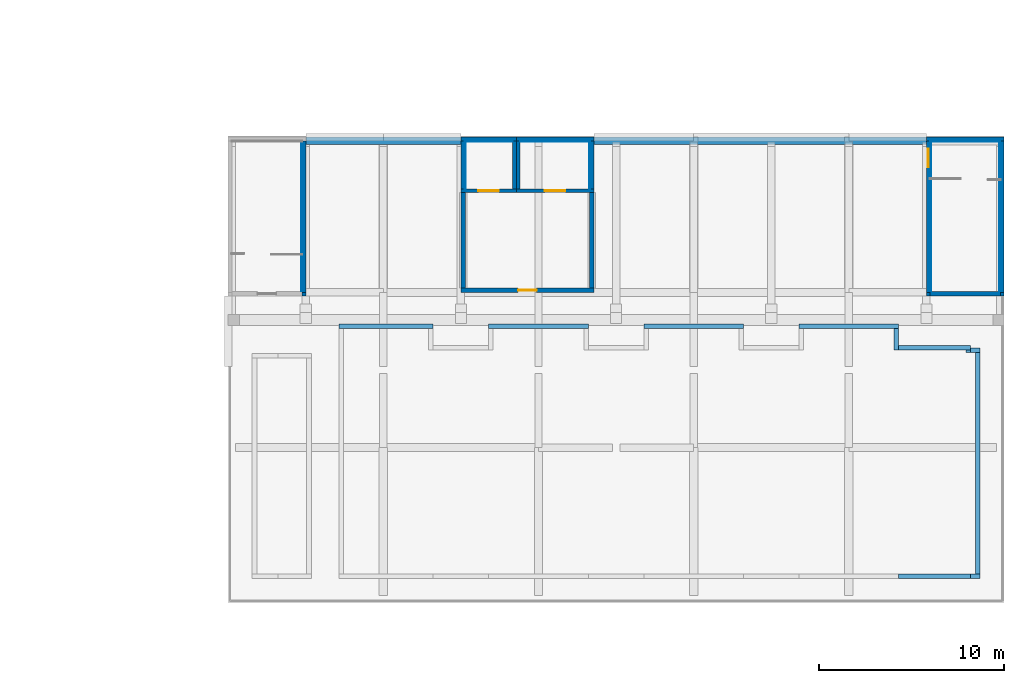
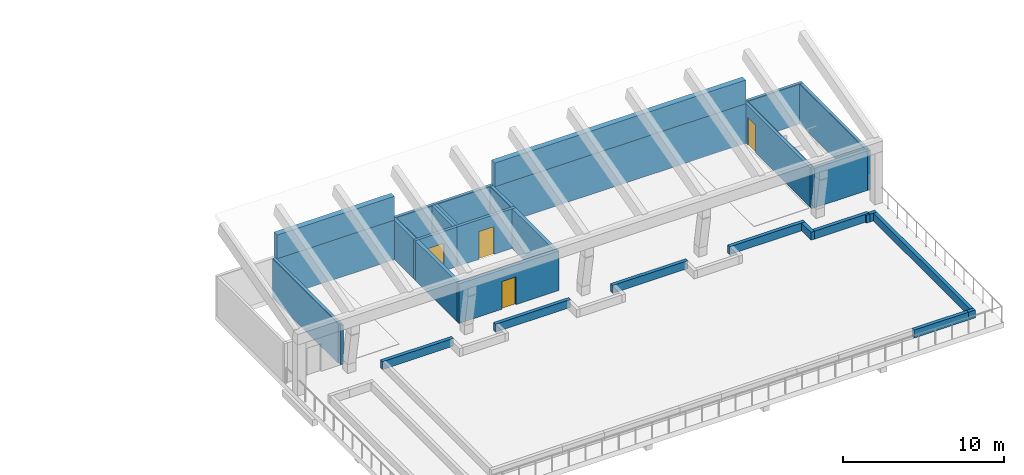
# One storey, part 50 of 67: 42 walls, 4 doors, 4 openings.
"""IFC4 building model written with IfcOpenShell, lengths in metres."""

from ifc_helpers import new_model, si_unit, direction, frame, frame_2d, origin, place, context, subcontext, project, spatial, rectangle, extrude, material, layer, layer_set, type_object, element, fill, save


model = new_model("IFC4")

# Units and contexts
model_context = context("Model", 3, precision=1e-05, world=origin(), true_north=direction((0.0, 1.0)))
body_context = subcontext(model_context, "Body", "Model", "MODEL_VIEW")
ifc_project = project(units=[si_unit("LENGTHUNIT", "METRE"), si_unit("AREAUNIT", "SQUARE_METRE"), si_unit("VOLUMEUNIT", "CUBIC_METRE"), si_unit("PLANEANGLEUNIT", "RADIAN"), si_unit("MASSUNIT", "GRAM", prefix="KILO")], contexts=[model_context])

# Site, building, storey
site_placement = place(None, origin())
site = spatial("IfcSite", under=ifc_project, at=site_placement, CompositionType="ELEMENT")
building_placement = place(site_placement, origin())
building = spatial("IfcBuilding", under=site, at=building_placement, Name="Kiln Court Media Centre", CompositionType="ELEMENT")
storey_placement = place(building_placement, frame((0.0, 0.0, 19.800048828125)))
storey = spatial("IfcBuildingStorey", under=building, at=storey_placement, Name="L04", CompositionType="ELEMENT", Elevation=19.800048828125)

# Walls
ifc_material_1 = material(Name="Concrete C30/37", Category="concrete")
ifc_layer_1 = layer(ifc_material_1, 0.25)
ifc_layer_set_1 = layer_set([ifc_layer_1], Name="Concrete C30/37 planter wall 250")
wall_type_1 = type_object("IfcWallType", Name="Concrete C30/37 planter wall 250", PredefinedType="PARAPET", material=ifc_layer_set_1)
wall_1_placement = place(storey_placement, frame((162.300048828125, 13.79833984375, 0.0), z_axis=(0.0, 0.0, 1.0), x_axis=(1.0, 0.0, 0.0)))
element("IfcWall", 1, at=wall_1_placement, inside=storey, type_object=wall_type_1, Name="Roof garden planter 2.1 north wall", PredefinedType="PARAPET", context=body_context, shape_type="SweptSolid", body=[
    extrude(rectangle(XDim=3.89990234375, YDim=0.25, at=frame_2d((1.949951171875, 0.0))), origin(), (0.0, 0.0, 1.0), 0.599853515625),
])
wall_2_placement = place(storey_placement, frame((156.89990234375, 14.97509765625, 0.0), z_axis=(0.0, 0.0, 1.0), x_axis=(1.0, 0.0, 0.0)))
element("IfcWall", 2, at=wall_2_placement, inside=storey, type_object=wall_type_1, Name="Roof garden planter 2.1 north wall", PredefinedType="PARAPET", context=body_context, shape_type="SweptSolid", body=[
    extrude(rectangle(XDim=5.400146484375, YDim=0.25, at=frame_2d((2.7001953125, 0.0))), origin(), (0.0, 0.0, 1.0), 0.599853515625),
])
for number, where, z_axis, x_axis, name in (
    (3, (148.5, 14.97509765625, 0.0), (0.0, 0.0, 1.0), (1.0, 0.0, 0.0), "Roof garden planter 2.1 north wall"),
    (4, (140.10009765625, 14.97509765625, 0.0), (0.0, 0.0, 1.0), (1.0, 0.0, 0.0), "Roof garden planter 2.1 north wall"),
):
    element("IfcWall", number, at=place(storey_placement, frame(where, z_axis=z_axis, x_axis=x_axis)), inside=storey, type_object=wall_type_1, Name=name, PredefinedType="PARAPET", context=body_context, shape_type="SweptSolid", body=[
        extrude(rectangle(XDim=5.39990234375, YDim=0.25, at=frame_2d((2.699951171875, 0.0))), origin(), (0.0, 0.0, 1.0), 0.599853515625),
    ])
wall_3_placement = place(storey_placement, frame((132.0, 14.97509765625, 0.0), z_axis=(0.0, 0.0, 1.0), x_axis=(1.0, 0.0, 0.0)))
element("IfcWall", 5, at=wall_3_placement, inside=storey, type_object=wall_type_1, Name="Roof garden planter 2.1 north wall", PredefinedType="PARAPET", context=body_context, shape_type="SweptSolid", body=[
    extrude(rectangle(XDim=5.10009765625, YDim=0.25, at=frame_2d((2.550048828125, 0.0))), origin(), (0.0, 0.0, 1.0), 0.599853515625),
])
wall_4_placement = place(storey_placement, frame((162.300048828125, 1.425048828125, 0.0), z_axis=(0.0, 0.0, 1.0), x_axis=(1.0, 0.0, 0.0)))
element("IfcWall", 6, at=wall_4_placement, inside=storey, type_object=wall_type_1, Name="Roof garden planter 2.1 south wall", PredefinedType="PARAPET", context=body_context, shape_type="SweptSolid", body=[
    extrude(rectangle(XDim=3.89990234375, YDim=0.25, at=frame_2d((1.949951171875, 0.0))), origin(), (0.0, 0.0, 1.0), 0.599853515625),
])
for number, where, z_axis, x_axis, name in (
    (7, (166.199951171875, 1.425048828125, 0.0), (0.0, 0.0, 1.0), (1.0, 0.0, 0.0), "Roof garden planter 2.1 south wall"),
    (8, (166.199951171875, 13.675048828125, 0.0), (0.0, 0.0, 1.0), (1.0, 0.0, 0.0), "Roof garden planter 2.1 north wall"),
):
    element("IfcWall", number, at=place(storey_placement, frame(where, z_axis=z_axis, x_axis=x_axis)), inside=storey, type_object=wall_type_1, Name=name, PredefinedType="PARAPET", context=body_context, shape_type="SweptSolid", body=[
        extrude(rectangle(XDim=0.5, YDim=0.25, at=frame_2d((0.25, 0.0))), origin(), (0.0, 0.0, 1.0), 0.599853515625),
    ])
wall_5_placement = place(storey_placement, frame((162.175048828125, 13.67333984375, 0.0), z_axis=(0.0, 0.0, 1.0), x_axis=(0.0, 1.0, 0.0)))
element("IfcWall", 9, at=wall_5_placement, inside=storey, type_object=wall_type_1, Name="Roof garden planter 2.1 east wall", PredefinedType="PARAPET", context=body_context, shape_type="SweptSolid", body=[
    extrude(rectangle(XDim=1.1767578125, YDim=0.25, at=frame_2d((0.58837890625, 0.0))), origin(), (0.0, 0.0, 1.0), 0.599853515625),
])
wall_6_placement = place(storey_placement, frame((166.574951171875, 1.550048828125, 0.0), z_axis=(0.0, 0.0, 1.0), x_axis=(0.0, 1.0, 0.0)))
element("IfcWall", 10, at=wall_6_placement, inside=storey, type_object=wall_type_1, Name="Roof garden planter 2.1 east wall", PredefinedType="PARAPET", context=body_context, shape_type="SweptSolid", body=[
    extrude(rectangle(XDim=12.0, YDim=0.25, at=frame_2d((6.0, 0.0))), origin(), (0.0, 0.0, 1.0), 0.599853515625),
])
wall_7_placement = place(storey_placement, frame((166.074951171875, 13.550048828125, 0.0), z_axis=(0.0, 0.0, 1.0), x_axis=(0.0, 1.0, 0.0)))
element("IfcWall", 11, at=wall_7_placement, inside=storey, type_object=wall_type_1, Name="Roof garden planter 2.1 west wall", PredefinedType="PARAPET", context=body_context, shape_type="SweptSolid", body=[
    extrude(rectangle(XDim=0.123291015625, YDim=0.25, at=frame_2d((0.0615234375, 0.0))), origin(), (0.0, 0.0, 1.0), 0.599853515625),
])
ifc_material_2 = material(Name="Concrete C40/50", Category="concrete")
ifc_layer_2 = layer(ifc_material_2, 0.39990234375)
ifc_layer_set_2 = layer_set([ifc_layer_2], Name="Concrete C40/50 auditorium wall 400")
wall_type_2 = type_object("IfcWallType", Name="Concrete C40/50 auditorium wall 400", PredefinedType="SHEAR", material=ifc_layer_set_2)
wall_8_placement = place(storey_placement, frame((130.199951171875, 25.0, 0.0), z_axis=(0.0, 0.0, 1.0), x_axis=(1.0, 0.0, 0.0)))
element("IfcWall", 12, at=wall_8_placement, inside=storey, type_object=wall_type_2, Name="L04-W-1106", PredefinedType="SHEAR", context=body_context, shape_type="SweptSolid", body=[
    extrude(rectangle(XDim=8.400146484375, YDim=0.39990234375, at=frame_2d((4.2001953125, 0.0))), origin(), (0.0, 0.0, 1.0), 3.0),
])
wall_9_placement = place(storey_placement, frame((145.800048828125, 25.0, 0.0), z_axis=(0.0, 0.0, 1.0), x_axis=(1.0, 0.0, 0.0)))
element("IfcWall", 13, at=wall_9_placement, inside=storey, type_object=wall_type_2, Name="L04-W-1107", PredefinedType="SHEAR", context=body_context, shape_type="SweptSolid", body=[
    extrude(rectangle(XDim=18.0, YDim=0.39990234375, at=frame_2d((9.0, 0.0))), origin(), (0.0, 0.0, 1.0), 3.0),
])
wall_10_placement = place(storey_placement, frame((130.199951171875, 25.0, 3.0), z_axis=(0.0, 0.0, 1.0), x_axis=(1.0, 0.0, 0.0)))
element("IfcWall", 14, at=wall_10_placement, inside=storey, type_object=wall_type_2, Name="L04-W-1108", PredefinedType="SHEAR", context=body_context, shape_type="SweptSolid", body=[
    extrude(rectangle(XDim=8.400146484375, YDim=0.39990234375, at=frame_2d((4.2001953125, 0.0))), origin(), (0.0, 0.0, 1.0), 1.800048828125),
])
wall_11_placement = place(storey_placement, frame((145.800048828125, 25.0, 3.0), z_axis=(0.0, 0.0, 1.0), x_axis=(1.0, 0.0, 0.0)))
element("IfcWall", 15, at=wall_11_placement, inside=storey, type_object=wall_type_2, Name="L04-W-1109", PredefinedType="SHEAR", context=body_context, shape_type="SweptSolid", body=[
    extrude(rectangle(XDim=18.0, YDim=0.39990234375, at=frame_2d((9.0, 0.0))), origin(), (0.0, 0.0, 1.0), 1.800048828125),
])
ifc_material_3 = material(Name="Concrete C40/50", Category="concrete")
ifc_layer_3 = layer(ifc_material_3, 0.199951171875)
ifc_layer_set_3 = layer_set([ifc_layer_3], Name="Concrete C40/50 shear wall 200")
wall_type_3 = type_object("IfcWallType", Name="Concrete C40/50 shear wall 200", PredefinedType="SHEAR", material=ifc_layer_set_3)
wall_12_placement = place(storey_placement, frame((130.10009765625, 25.0, 0.0), z_axis=(0.0, 0.0, 1.0), x_axis=(0.0, -1.0, 0.0)))
element("IfcWall", 16, at=wall_12_placement, inside=storey, type_object=wall_type_3, Name="L04-W-1030", PredefinedType="SHEAR", context=body_context, shape_type="SweptSolid", body=[
    extrude(rectangle(XDim=8.199951171875, YDim=0.199951171875, at=frame_2d((4.10009765625, 0.0))), origin(), (0.0, 0.0, 1.0), 3.0),
])
wall_13_placement = place(storey_placement, frame((163.800048828125, 25.10009765625, 0.0), z_axis=(0.0, 0.0, 1.0), x_axis=(1.0, 0.0, 0.0)))
element("IfcWall", 17, at=wall_13_placement, inside=storey, type_object=wall_type_3, Name="L04-W-1031", PredefinedType="SHEAR", context=body_context, shape_type="SweptSolid", body=[
    extrude(rectangle(XDim=4.199462890625, YDim=0.199951171875, at=frame_2d((2.099609375, 0.0))), origin(), (0.0, 0.0, 1.0), 3.0),
])

# Wall, opening, door
wall_14_placement = place(storey_placement, frame((163.89990234375, 16.800048828125, 0.0), z_axis=(0.0, 0.0, 1.0), x_axis=(0.0, 1.0, 0.0)))
wall_14 = element("IfcWall", 18, at=wall_14_placement, inside=storey, type_object=wall_type_3, Name="L04-W-1032", PredefinedType="SHEAR", context=body_context, shape_type="SweptSolid", body=[
    extrude(rectangle(XDim=8.199951171875, YDim=0.199951171875, at=frame_2d((4.10009765625, 0.0))), origin(), (0.0, 0.0, 1.0), 3.0),
])
opening_1_placement = place(wall_14_placement, frame((6.77490234375, 0.0, 0.0)))
opening_1 = element("IfcOpeningElement", 19, at=opening_1_placement, cuts=wall_14, Name="Opening D4751", PredefinedType="OPENING", context=body_context, shape_type="SweptSolid", body=[
    extrude(rectangle(XDim=1.0, YDim=2.10009765625, at=frame_2d((0.5, 1.050048828125))), frame((0.0, 0.10986328125, 0.0), z_axis=(0.0, -1.0, 0.0), x_axis=(1.0, 0.0, 0.0)), (0.0, 0.0, 1.0), 0.219970703125),
])
ifc_material_4 = material(Name="Steel ASTM A572 Gr 50", Category="steel")
door_type_1 = type_object("IfcDoorType", Name="Steel garden access door 1000x2100", OperationType="SINGLE_SWING_LEFT", PredefinedType="DOOR", material=ifc_material_4)
door_1_placement = place(opening_1_placement, origin())
door_1 = element("IfcDoor", 20, at=door_1_placement, inside=storey, type_object=door_type_1, Name="ST-17 garden door", OperationType="SLIDING_TO_LEFT", OverallHeight=2.10009765625, OverallWidth=1.0, PredefinedType="DOOR", context=body_context, shape_type="SweptSolid", body=[
    extrude(rectangle(XDim=1.0, YDim=2.10009765625, at=frame_2d((0.5, 1.050048828125))), frame((0.0, 0.02490234375, 0.0), z_axis=(0.0, -1.0, 0.0), x_axis=(1.0, 0.0, 0.0)), (0.0, 0.0, 1.0), 0.050048828125),
])
fill(opening_1, door_1)

# Wall
wall_15_placement = place(storey_placement, frame((167.899658203125, 25.0, 0.0), z_axis=(0.0, 0.0, 1.0), x_axis=(0.0, -1.0, 0.0)))
element("IfcWall", 21, at=wall_15_placement, inside=storey, type_object=wall_type_3, Name="L04-W-1033", PredefinedType="SHEAR", context=body_context, shape_type="SweptSolid", body=[
    extrude(rectangle(XDim=8.199951171875, YDim=0.199951171875, at=frame_2d((4.10009765625, 0.0))), origin(), (0.0, 0.0, 1.0), 3.0),
])

# Wall, opening, door
wall_16_placement = place(storey_placement, frame((141.60009765625, 22.300048828125, 0.0), z_axis=(0.0, 0.0, 1.0), x_axis=(-1.0, 0.0, 0.0)))
wall_16 = element("IfcWall", 22, at=wall_16_placement, inside=storey, type_object=wall_type_3, Name="L04-W-1060", PredefinedType="SHEAR", context=body_context, shape_type="SweptSolid", body=[
    extrude(rectangle(XDim=3.0, YDim=0.199951171875, at=frame_2d((1.5, 0.0))), origin(), (0.0, 0.0, 1.0), 3.0),
])
opening_2_placement = place(wall_16_placement, frame((0.9501953125, 0.0, 0.0)))
opening_2 = element("IfcOpeningElement", 23, at=opening_2_placement, cuts=wall_16, Name="Opening LD409", PredefinedType="OPENING", context=body_context, shape_type="SweptSolid", body=[
    extrude(rectangle(XDim=1.10009765625, YDim=2.10009765625, at=frame_2d((0.550048828125, 1.050048828125))), frame((0.0, 0.10986328125, 0.0), z_axis=(0.0, -1.0, 0.0), x_axis=(1.0, 0.0, 0.0)), (0.0, 0.0, 1.0), 0.219970703125),
])
ifc_material_5 = material(Name="Stainless steel", Category="steel")
door_type_2 = type_object("IfcDoorType", Name="Firefighting lift landing door 1100 x 2100 FD120", OperationType="SLIDING_TO_LEFT", PredefinedType="DOOR", material=ifc_material_5)
door_2_placement = place(opening_2_placement, origin())
door_2 = element("IfcDoor", 24, at=door_2_placement, inside=storey, type_object=door_type_2, Name="LF-11 landing door L04", OperationType="SLIDING_TO_LEFT", OverallHeight=2.10009765625, OverallWidth=1.10009765625, PredefinedType="DOOR", context=body_context, shape_type="SweptSolid", body=[
    extrude(rectangle(XDim=1.10009765625, YDim=2.10009765625, at=frame_2d((0.550048828125, 1.050048828125))), frame((0.0, 0.02490234375, 0.0), z_axis=(0.0, -1.0, 0.0), x_axis=(1.0, 0.0, 0.0)), (0.0, 0.0, 1.0), 0.050048828125),
])
fill(opening_2, door_2)

# Walls
wall_17_placement = place(storey_placement, frame((138.60009765625, 25.10009765625, 0.0), z_axis=(0.0, 0.0, 1.0), x_axis=(1.0, 0.0, 0.0)))
element("IfcWall", 25, at=wall_17_placement, inside=storey, type_object=wall_type_3, Name="L04-W-1061", PredefinedType="SHEAR", context=body_context, shape_type="SweptSolid", body=[
    extrude(rectangle(XDim=3.0, YDim=0.199951171875, at=frame_2d((1.5, 0.0))), origin(), (0.0, 0.0, 1.0), 3.0),
])
for number, where, z_axis, x_axis, name in (
    (26, (138.699951171875, 22.39990234375, 0.0), (0.0, 0.0, 1.0), (0.0, 1.0, 0.0), "L04-W-1062"),
    (27, (141.5, 25.0, 0.0), (0.0, 0.0, 1.0), (0.0, -1.0, 0.0), "L04-W-1063"),
):
    element("IfcWall", number, at=place(storey_placement, frame(where, z_axis=z_axis, x_axis=x_axis)), inside=storey, type_object=wall_type_3, Name=name, PredefinedType="SHEAR", context=body_context, shape_type="SweptSolid", body=[
        extrude(rectangle(XDim=2.60009765625, YDim=0.199951171875, at=frame_2d((1.300048828125, 0.0))), origin(), (0.0, 0.0, 1.0), 3.0),
    ])

# Wall, opening, door
wall_18_placement = place(storey_placement, frame((145.800048828125, 22.300048828125, 0.0), z_axis=(0.0, 0.0, 1.0), x_axis=(-1.0, 0.0, 0.0)))
wall_18 = element("IfcWall", 28, at=wall_18_placement, inside=storey, type_object=wall_type_3, Name="L04-W-1064", PredefinedType="SHEAR", context=body_context, shape_type="SweptSolid", body=[
    extrude(rectangle(XDim=4.199951171875, YDim=0.199951171875, at=frame_2d((2.10009765625, 0.0))), origin(), (0.0, 0.0, 1.0), 3.0),
])
opening_3_placement = place(wall_18_placement, frame((1.550048828125, 0.0, 0.0)))
opening_3 = element("IfcOpeningElement", 29, at=opening_3_placement, cuts=wall_18, Name="Opening LD410", PredefinedType="OPENING", context=body_context, shape_type="SweptSolid", body=[
    extrude(rectangle(XDim=1.10009765625, YDim=2.10009765625, at=frame_2d((0.550048828125, 1.050048828125))), frame((0.0, 0.10986328125, 0.0), z_axis=(0.0, -1.0, 0.0), x_axis=(1.0, 0.0, 0.0)), (0.0, 0.0, 1.0), 0.219970703125),
])
ifc_material_6 = material(Name="Stainless steel", Category="steel")
door_type_3 = type_object("IfcDoorType", Name="Lift landing door 1100 x 2100 FD120", OperationType="SLIDING_TO_LEFT", PredefinedType="DOOR", material=ifc_material_6)
door_3_placement = place(opening_3_placement, origin())
door_3 = element("IfcDoor", 30, at=door_3_placement, inside=storey, type_object=door_type_3, Name="LF-12 landing door L04", OperationType="SLIDING_TO_LEFT", OverallHeight=2.10009765625, OverallWidth=1.10009765625, PredefinedType="DOOR", context=body_context, shape_type="SweptSolid", body=[
    extrude(rectangle(XDim=1.10009765625, YDim=2.10009765625, at=frame_2d((0.550048828125, 1.050048828125))), frame((0.0, 0.02490234375, 0.0), z_axis=(0.0, -1.0, 0.0), x_axis=(1.0, 0.0, 0.0)), (0.0, 0.0, 1.0), 0.050048828125),
])
fill(opening_3, door_3)

# Walls
wall_19_placement = place(storey_placement, frame((141.60009765625, 25.10009765625, 0.0), z_axis=(0.0, 0.0, 1.0), x_axis=(1.0, 0.0, 0.0)))
element("IfcWall", 31, at=wall_19_placement, inside=storey, type_object=wall_type_3, Name="L04-W-1065", PredefinedType="SHEAR", context=body_context, shape_type="SweptSolid", body=[
    extrude(rectangle(XDim=4.199951171875, YDim=0.199951171875, at=frame_2d((2.10009765625, 0.0))), origin(), (0.0, 0.0, 1.0), 3.0),
])
for number, where, z_axis, x_axis, name in (
    (32, (141.699951171875, 22.39990234375, 0.0), (0.0, 0.0, 1.0), (0.0, 1.0, 0.0), "L04-W-1066"),
    (33, (145.699951171875, 25.0, 0.0), (0.0, 0.0, 1.0), (0.0, -1.0, 0.0), "L04-W-1067"),
):
    element("IfcWall", number, at=place(storey_placement, frame(where, z_axis=z_axis, x_axis=x_axis)), inside=storey, type_object=wall_type_3, Name=name, PredefinedType="SHEAR", context=body_context, shape_type="SweptSolid", body=[
        extrude(rectangle(XDim=2.60009765625, YDim=0.199951171875, at=frame_2d((1.300048828125, 0.0))), origin(), (0.0, 0.0, 1.0), 3.0),
    ])
for number, where, z_axis, x_axis, name in (
    (34, (130.10009765625, 16.60009765625, 0.0), (0.0, 0.0, 1.0), (0.0, 1.0, 0.0), "L04-W-1086"),
    (35, (167.899658203125, 16.60009765625, 0.0), (0.0, 0.0, 1.0), (0.0, 1.0, 0.0), "L04-W-1091"),
    (36, (163.89990234375, 16.60009765625, 0.0), (0.0, 0.0, 1.0), (0.0, 1.0, 0.0), "L04-W-1092"),
):
    element("IfcWall", number, at=place(storey_placement, frame(where, z_axis=z_axis, x_axis=x_axis)), inside=storey, type_object=wall_type_3, Name=name, PredefinedType="SHEAR", context=body_context, shape_type="SweptSolid", body=[
        extrude(rectangle(XDim=0.199951171875, YDim=0.199951171875, at=frame_2d((0.10009765625, 0.0))), origin(), (0.0, 0.0, 1.0), 3.0),
    ])
ifc_material_7 = material(Name="Concrete C40/50", Category="concrete")
ifc_layer_4 = layer(ifc_material_7, 0.25)
ifc_layer_set_4 = layer_set([ifc_layer_4], Name="Concrete C40/50 shear wall 250")
wall_type_4 = type_object("IfcWallType", Name="Concrete C40/50 shear wall 250", PredefinedType="SHEAR", material=ifc_layer_set_4)
wall_20_placement = place(storey_placement, frame((167.800048828125, 16.72509765625, 0.0), z_axis=(0.0, 0.0, 1.0), x_axis=(-1.0, 0.0, 0.0)))
element("IfcWall", 37, at=wall_20_placement, inside=storey, type_object=wall_type_4, Name="L04-W-1090", PredefinedType="SHEAR", context=body_context, shape_type="SweptSolid", body=[
    extrude(rectangle(XDim=3.800048828125, YDim=0.25, at=frame_2d((1.89990234375, 0.0))), origin(), (0.0, 0.0, 1.0), 3.0),
])

# Wall, opening, door
wall_21_placement = place(storey_placement, frame((145.800048828125, 16.925048828125, 0.0), z_axis=(0.0, 0.0, 1.0), x_axis=(-1.0, 0.0, 0.0)))
wall_21 = element("IfcWall", 38, at=wall_21_placement, inside=storey, type_object=wall_type_4, Name="L04-W-1096", PredefinedType="SHEAR", context=body_context, shape_type="SweptSolid", body=[
    extrude(rectangle(XDim=7.199951171875, YDim=0.25, at=frame_2d((3.60009765625, 0.0))), origin(), (0.0, 0.0, 1.0), 3.0),
])
opening_4_placement = place(wall_21_placement, frame((3.10009765625, 0.0, 0.0)))
opening_4 = element("IfcOpeningElement", 39, at=opening_4_placement, cuts=wall_21, Name="Opening D4016", PredefinedType="OPENING", context=body_context, shape_type="SweptSolid", body=[
    extrude(rectangle(XDim=1.0, YDim=2.10009765625, at=frame_2d((0.5, 1.050048828125))), frame((0.0, 0.135009765625, 0.0), z_axis=(0.0, -1.0, 0.0), x_axis=(1.0, 0.0, 0.0)), (0.0, 0.0, 1.0), 0.27001953125),
])
ifc_material_8 = material(Name="Steel S275", Category="steel")
door_type_4 = type_object("IfcDoorType", Name="Steel lobby door 1000 x 2100 FD180", OperationType="SINGLE_SWING_LEFT", PredefinedType="DOOR", material=ifc_material_8)
door_4_placement = place(opening_4_placement, origin())
door_4 = element("IfcDoor", 40, at=door_4_placement, inside=storey, type_object=door_type_4, Name="Roof Garden / Lift Head House", OperationType="SINGLE_SWING_LEFT", OverallHeight=2.10009765625, OverallWidth=1.0, PredefinedType="DOOR", context=body_context, shape_type="SweptSolid", body=[
    extrude(rectangle(XDim=1.0, YDim=2.10009765625, at=frame_2d((0.5, 1.050048828125))), frame((0.0, 0.02490234375, 0.0), z_axis=(0.0, -1.0, 0.0), x_axis=(1.0, 0.0, 0.0)), (0.0, 0.0, 1.0), 0.050048828125),
])
fill(opening_4, door_4)

# Walls
for number, where, z_axis, x_axis, name in (
    (41, (138.72509765625, 17.050048828125, 0.0), (0.0, 0.0, 1.0), (0.0, 1.0, 0.0), "L04-W-1099"),
    (42, (145.675048828125, 22.199951171875, 0.0), (0.0, 0.0, 1.0), (0.0, -1.0, 0.0), "L04-W-1101"),
):
    element("IfcWall", number, at=place(storey_placement, frame(where, z_axis=z_axis, x_axis=x_axis)), inside=storey, type_object=wall_type_4, Name=name, PredefinedType="SHEAR", context=body_context, shape_type="SweptSolid", body=[
        extrude(rectangle(XDim=5.14990234375, YDim=0.25, at=frame_2d((2.574951171875, 0.0))), origin(), (0.0, 0.0, 1.0), 3.0),
    ])
ifc_material_9 = material(Name="Concrete C40/50", Category="concrete")
ifc_layer_5 = layer(ifc_material_9, 0.050048828125)
ifc_layer_set_5 = layer_set([ifc_layer_5], Name="Concrete C40/50 shear wall 50")
wall_type_5 = type_object("IfcWallType", Name="Concrete C40/50 shear wall 50", PredefinedType="SHEAR", material=ifc_layer_set_5)
wall_22_placement = place(storey_placement, frame((129.97509765625, 24.949951171875, 0.0), z_axis=(0.0, 0.0, 1.0), x_axis=(0.0, -1.0, 0.0)))
element("IfcWall", 43, at=wall_22_placement, inside=storey, type_object=wall_type_5, Name="L04-W-1089", PredefinedType="SHEAR", context=body_context, shape_type="SweptSolid", body=[
    extrude(rectangle(XDim=8.099853515625, YDim=0.050048828125, at=frame_2d((4.0498046875, 0.0))), origin(), (0.0, 0.0, 1.0), 3.0),
])
wall_23_placement = place(storey_placement, frame((164.0, 24.97509765625, 0.0), z_axis=(0.0, 0.0, 1.0), x_axis=(1.0, 0.0, 0.0)))
element("IfcWall", 44, at=wall_23_placement, inside=storey, type_object=wall_type_5, Name="L04-W-1093", PredefinedType="SHEAR", context=body_context, shape_type="SweptSolid", body=[
    extrude(rectangle(XDim=3.800048828125, YDim=0.050048828125, at=frame_2d((1.89990234375, 0.0))), origin(), (0.0, 0.0, 1.0), 3.0),
])
for number, where, z_axis, x_axis, name in (
    (45, (164.02490234375, 16.85009765625, 0.0), (0.0, 0.0, 1.0), (0.0, 1.0, 0.0), "L04-W-1094"),
    (46, (167.77490234375, 24.949951171875, 0.0), (0.0, 0.0, 1.0), (0.0, -1.0, 0.0), "L04-W-1095"),
):
    element("IfcWall", number, at=place(storey_placement, frame(where, z_axis=z_axis, x_axis=x_axis)), inside=storey, type_object=wall_type_5, Name=name, PredefinedType="SHEAR", context=body_context, shape_type="SweptSolid", body=[
        extrude(rectangle(XDim=8.099853515625, YDim=0.050048828125, at=frame_2d((4.0498046875, 0.0))), origin(), (0.0, 0.0, 1.0), 3.0),
    ])
wall_24_placement = place(storey_placement, frame((141.800048828125, 24.97509765625, 0.0), z_axis=(0.0, 0.0, 1.0), x_axis=(1.0, 0.0, 0.0)))
element("IfcWall", 47, at=wall_24_placement, inside=storey, type_object=wall_type_5, Name="L04-W-1097", PredefinedType="SHEAR", context=body_context, shape_type="SweptSolid", body=[
    extrude(rectangle(XDim=3.800048828125, YDim=0.050048828125, at=frame_2d((1.89990234375, 0.0))), origin(), (0.0, 0.0, 1.0), 3.0),
])
wall_25_placement = place(storey_placement, frame((138.800048828125, 24.97509765625, 0.0), z_axis=(0.0, 0.0, 1.0), x_axis=(1.0, 0.0, 0.0)))
element("IfcWall", 48, at=wall_25_placement, inside=storey, type_object=wall_type_5, Name="L04-W-1098", PredefinedType="SHEAR", context=body_context, shape_type="SweptSolid", body=[
    extrude(rectangle(XDim=2.599853515625, YDim=0.050048828125, at=frame_2d((1.2998046875, 0.0))), origin(), (0.0, 0.0, 1.0), 3.0),
])
for number, where, z_axis, x_axis, name in (
    (49, (138.824951171875, 22.39990234375, 0.0), (0.0, 0.0, 1.0), (0.0, 1.0, 0.0), "L04-W-1100"),
    (50, (145.574951171875, 24.949951171875, 0.0), (0.0, 0.0, 1.0), (0.0, -1.0, 0.0), "L04-W-1102"),
):
    element("IfcWall", number, at=place(storey_placement, frame(where, z_axis=z_axis, x_axis=x_axis)), inside=storey, type_object=wall_type_5, Name=name, PredefinedType="SHEAR", context=body_context, shape_type="SweptSolid", body=[
        extrude(rectangle(XDim=2.550048828125, YDim=0.050048828125, at=frame_2d((1.27490234375, 0.0))), origin(), (0.0, 0.0, 1.0), 3.0),
    ])

save(model, "model.ifc")
